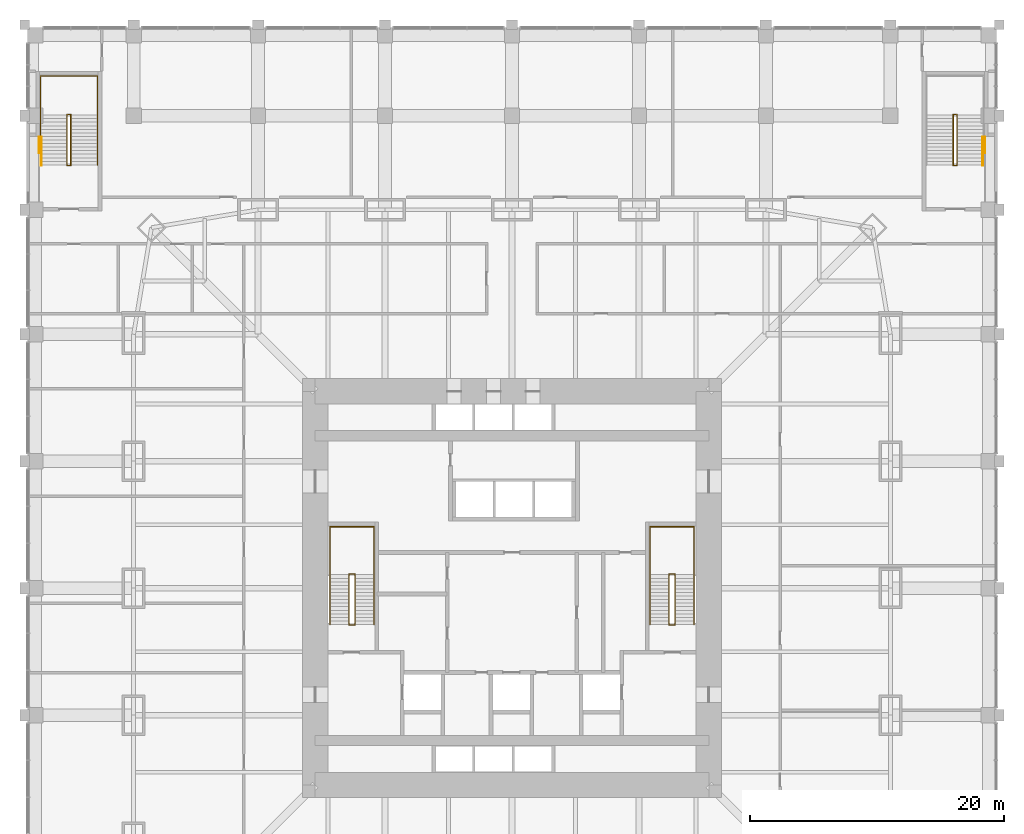
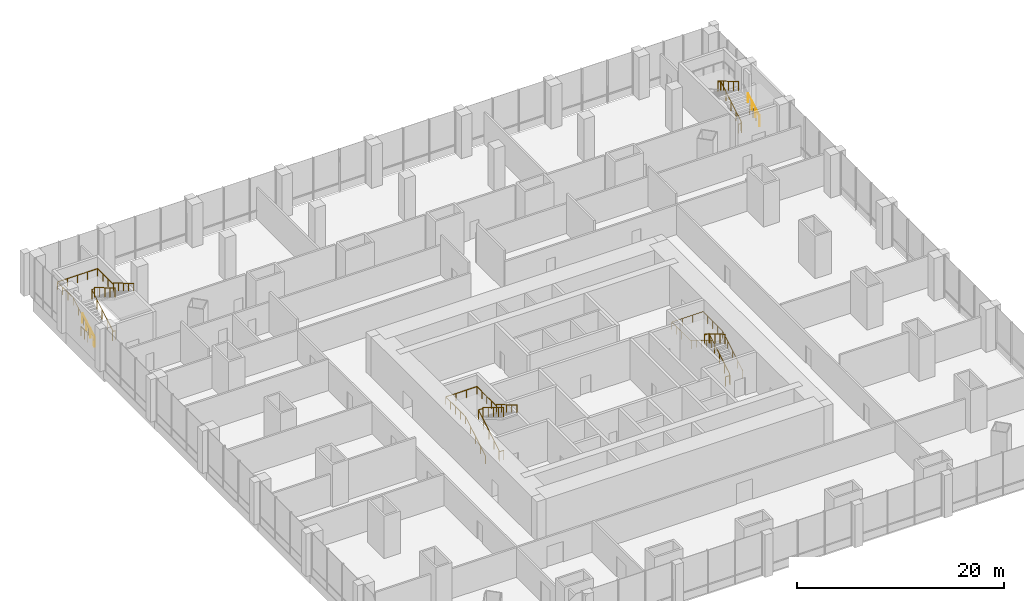
# One storey, part 23 of 24: 11 railings.
"""IFC4 building model written with IfcOpenShell, lengths in metres."""

from ifc_helpers import new_model, si_unit, direction, frame, origin, origin_2d, place, context, subcontext, project, spatial, circle, extrude, material, type_object, element, save


model = new_model("IFC4")

# Units and contexts
model_context = context("Model", 3, precision=1e-05, world=origin(), true_north=direction((0.0, 1.0)))
body_context = subcontext(model_context, "Body", "Model", "MODEL_VIEW")
ifc_project = project(units=[si_unit("LENGTHUNIT", "METRE"), si_unit("AREAUNIT", "SQUARE_METRE"), si_unit("VOLUMEUNIT", "CUBIC_METRE"), si_unit("PLANEANGLEUNIT", "RADIAN"), si_unit("MASSUNIT", "GRAM", prefix="KILO")], contexts=[model_context])

# Site, building, storey
site_placement = place(None, origin())
site = spatial("IfcSite", under=ifc_project, at=site_placement, CompositionType="ELEMENT")
building_placement = place(site_placement, origin())
building = spatial("IfcBuilding", under=site, at=building_placement, Name="Khuree Lantern Residences", CompositionType="ELEMENT")
storey_placement = place(building_placement, frame((0.0, 0.0, 11.0)))
storey = spatial("IfcBuildingStorey", under=building, at=storey_placement, Name="L02", CompositionType="ELEMENT", Elevation=11.0)

# Railings
ifc_material = material(Name="Steel S355", Category="steel")
railing_type_1 = type_object("IfcRailingType", Name="STAIR GUARD G1 1100", PredefinedType="GUARDRAIL", material=ifc_material)
railing_1_placement = place(storey_placement, frame((-12.35009765625, -2.909912109375, 0.0)))
element("IfcRailing", 1, at=railing_1_placement, inside=storey, type_object=railing_type_1, Name="Stair ST1 guard", PredefinedType="GUARDRAIL", context=body_context, shape_type="SweptSolid", body=[
    extrude(circle(Radius=0.02392578125, at=origin_2d()), frame((0.0, 0.0, 1.076171875), z_axis=(-1.0, 0.0, 0.0), x_axis=(0.0, -1.0, 0.0)), (0.0, 0.0, 1.0), 0.5),
    extrude(circle(Radius=0.02392578125, at=origin_2d()), frame((-0.5, 0.0, 1.076171875), z_axis=(0.0, 0.286189326841, 0.958173089375), x_axis=(-1.0, 0.0, 0.0)), (0.0, 0.0, 1.0), 0.174072265625),
    extrude(circle(Radius=0.02392578125, at=origin_2d()), frame((-0.5, 0.0498046875, 1.24267578125), z_axis=(0.0, 0.859310244771, 0.511454693235), x_axis=(-1.0, 0.0, 0.0)), (0.0, 0.0, 1.0), 4.56201171875),
    extrude(circle(Radius=0.02392578125, at=origin_2d()), frame((-0.5, 3.969970703125, 3.576171875), z_axis=(0.0, 1.0, 0.0), x_axis=(-1.0, 0.0, 0.0)), (0.0, 0.0, 1.0), 0.050048828125),
    extrude(circle(Radius=0.02392578125, at=origin_2d()), frame((-0.5, 4.02001953125, 3.576171875), z_axis=(1.0, 0.0, 0.0), x_axis=(0.0, 1.0, 0.0)), (0.0, 0.0, 1.0), 0.5),
    extrude(circle(Radius=0.02392578125, at=origin_2d()), frame((0.0, 4.02001953125, 3.576171875), z_axis=(0.0, -0.287476536604, 0.957787680492), x_axis=(1.0, 0.0, 0.0)), (0.0, 0.0, 1.0), 0.174072265625),
    extrude(circle(Radius=0.02392578125, at=origin_2d()), frame((0.0, 3.969970703125, 3.74267578125), z_axis=(0.0, -0.859310244771, 0.511454693235), x_axis=(1.0, 0.0, 0.0)), (0.0, 0.0, 1.0), 4.56201171875),
    extrude(circle(Radius=0.02099609375, at=origin_2d()), origin(), (0.0, 0.0, 1.0), 1.052001953125),
    extrude(circle(Radius=0.02099609375, at=origin_2d()), frame((-0.5, 0.0, 0.0)), (0.0, 0.0, 1.0), 1.052001953125),
    extrude(circle(Radius=0.02099609375, at=origin_2d()), frame((-0.5, 0.0498046875, 0.166748046875)), (0.0, 0.0, 1.0), 1.052001953125),
    extrude(circle(Radius=0.02099609375, at=origin_2d()), frame((-0.5, 1.02978515625, 0.75)), (0.0, 0.0, 1.0), 1.052001953125),
    extrude(circle(Radius=0.02099609375, at=origin_2d()), frame((-0.5, 2.009765625, 1.33349609375)), (0.0, 0.0, 1.0), 1.052001953125),
    extrude(circle(Radius=0.02099609375, at=origin_2d()), frame((-0.5, 2.989990234375, 1.916748046875)), (0.0, 0.0, 1.0), 1.052001953125),
    extrude(circle(Radius=0.02099609375, at=origin_2d()), frame((-0.5, 3.969970703125, 2.5)), (0.0, 0.0, 1.0), 1.052001953125),
    extrude(circle(Radius=0.02099609375, at=origin_2d()), frame((-0.5, 4.02001953125, 2.5)), (0.0, 0.0, 1.0), 1.052001953125),
    extrude(circle(Radius=0.02099609375, at=origin_2d()), frame((0.0, 4.02001953125, 2.5)), (0.0, 0.0, 1.0), 1.052001953125),
    extrude(circle(Radius=0.02099609375, at=origin_2d()), frame((0.0, 3.969970703125, 2.666748046875)), (0.0, 0.0, 1.0), 1.052001953125),
    extrude(circle(Radius=0.02099609375, at=origin_2d()), frame((0.0, 2.989990234375, 3.25)), (0.0, 0.0, 1.0), 1.052001953125),
    extrude(circle(Radius=0.02099609375, at=origin_2d()), frame((0.0, 2.009765625, 3.83349609375)), (0.0, 0.0, 1.0), 1.052001953125),
    extrude(circle(Radius=0.02099609375, at=origin_2d()), frame((0.0, 1.02978515625, 4.416748046875)), (0.0, 0.0, 1.0), 1.052001953125),
    extrude(circle(Radius=0.02099609375, at=origin_2d()), frame((0.0, 0.0498046875, 5.0)), (0.0, 0.0, 1.0), 1.052001953125),
])
railing_2_placement = place(storey_placement, frame((12.35009765625, -2.909912109375, 0.0)))
element("IfcRailing", 2, at=railing_2_placement, inside=storey, type_object=railing_type_1, Name="Stair ST2 guard", PredefinedType="GUARDRAIL", context=body_context, shape_type="SweptSolid", body=[
    extrude(circle(Radius=0.02392578125, at=origin_2d()), frame((0.0, 0.0, 1.076171875), z_axis=(1.0, 0.0, 0.0), x_axis=(0.0, 1.0, 0.0)), (0.0, 0.0, 1.0), 0.5),
    extrude(circle(Radius=0.02392578125, at=origin_2d()), frame((0.5, 0.0, 1.076171875), z_axis=(0.0, 0.286189326841, 0.958173089375), x_axis=(-1.0, 0.0, 0.0)), (0.0, 0.0, 1.0), 0.174072265625),
    extrude(circle(Radius=0.02392578125, at=origin_2d()), frame((0.5, 0.0498046875, 1.24267578125), z_axis=(0.0, 0.859310244771, 0.511454693235), x_axis=(-1.0, 0.0, 0.0)), (0.0, 0.0, 1.0), 4.56201171875),
    extrude(circle(Radius=0.02392578125, at=origin_2d()), frame((0.5, 3.969970703125, 3.576171875), z_axis=(0.0, 1.0, 0.0), x_axis=(-1.0, 0.0, 0.0)), (0.0, 0.0, 1.0), 0.050048828125),
    extrude(circle(Radius=0.02392578125, at=origin_2d()), frame((0.5, 4.02001953125, 3.576171875), z_axis=(-1.0, 0.0, 0.0), x_axis=(0.0, -1.0, 0.0)), (0.0, 0.0, 1.0), 0.5),
    extrude(circle(Radius=0.02392578125, at=origin_2d()), frame((0.0, 4.02001953125, 3.576171875), z_axis=(0.0, -0.287476536604, 0.957787680492), x_axis=(1.0, 0.0, 0.0)), (0.0, 0.0, 1.0), 0.174072265625),
    extrude(circle(Radius=0.02392578125, at=origin_2d()), frame((0.0, 3.969970703125, 3.74267578125), z_axis=(0.0, -0.859310244771, 0.511454693235), x_axis=(1.0, 0.0, 0.0)), (0.0, 0.0, 1.0), 4.56201171875),
    extrude(circle(Radius=0.02099609375, at=origin_2d()), origin(), (0.0, 0.0, 1.0), 1.052001953125),
    extrude(circle(Radius=0.02099609375, at=origin_2d()), frame((0.5, 0.0, 0.0)), (0.0, 0.0, 1.0), 1.052001953125),
    extrude(circle(Radius=0.02099609375, at=origin_2d()), frame((0.5, 0.0498046875, 0.166748046875)), (0.0, 0.0, 1.0), 1.052001953125),
    extrude(circle(Radius=0.02099609375, at=origin_2d()), frame((0.5, 1.02978515625, 0.75)), (0.0, 0.0, 1.0), 1.052001953125),
    extrude(circle(Radius=0.02099609375, at=origin_2d()), frame((0.5, 2.009765625, 1.33349609375)), (0.0, 0.0, 1.0), 1.052001953125),
    extrude(circle(Radius=0.02099609375, at=origin_2d()), frame((0.5, 2.989990234375, 1.916748046875)), (0.0, 0.0, 1.0), 1.052001953125),
    extrude(circle(Radius=0.02099609375, at=origin_2d()), frame((0.5, 3.969970703125, 2.5)), (0.0, 0.0, 1.0), 1.052001953125),
    extrude(circle(Radius=0.02099609375, at=origin_2d()), frame((0.5, 4.02001953125, 2.5)), (0.0, 0.0, 1.0), 1.052001953125),
    extrude(circle(Radius=0.02099609375, at=origin_2d()), frame((0.0, 4.02001953125, 2.5)), (0.0, 0.0, 1.0), 1.052001953125),
    extrude(circle(Radius=0.02099609375, at=origin_2d()), frame((0.0, 3.969970703125, 2.666748046875)), (0.0, 0.0, 1.0), 1.052001953125),
    extrude(circle(Radius=0.02099609375, at=origin_2d()), frame((0.0, 2.989990234375, 3.25)), (0.0, 0.0, 1.0), 1.052001953125),
    extrude(circle(Radius=0.02099609375, at=origin_2d()), frame((0.0, 2.009765625, 3.83349609375)), (0.0, 0.0, 1.0), 1.052001953125),
    extrude(circle(Radius=0.02099609375, at=origin_2d()), frame((0.0, 1.02978515625, 4.416748046875)), (0.0, 0.0, 1.0), 1.052001953125),
    extrude(circle(Radius=0.02099609375, at=origin_2d()), frame((0.0, 0.0498046875, 5.0)), (0.0, 0.0, 1.0), 1.052001953125),
])
railing_3_placement = place(storey_placement, frame((-34.75, 33.2900390625, 0.0)))
element("IfcRailing", 3, at=railing_3_placement, inside=storey, type_object=railing_type_1, Name="Stair ST3 guard", PredefinedType="GUARDRAIL", context=body_context, shape_type="SweptSolid", body=[
    extrude(circle(Radius=0.02392578125, at=origin_2d()), frame((0.0, 0.0, 1.076171875), z_axis=(-1.0, 0.0, 0.0), x_axis=(0.0, -1.0, 0.0)), (0.0, 0.0, 1.0), 0.300048828125),
    extrude(circle(Radius=0.02392578125, at=origin_2d()), frame((-0.300048828125, 0.0, 1.076171875), z_axis=(0.0, 0.287476536604, 0.957787680492), x_axis=(-1.0, 0.0, 0.0)), (0.0, 0.0, 1.0), 0.174072265625),
    extrude(circle(Radius=0.02392578125, at=origin_2d()), frame((-0.300048828125, 0.050048828125, 1.24267578125), z_axis=(0.0, 0.859296244711, 0.511478214419), x_axis=(-1.0, 0.0, 0.0)), (0.0, 0.0, 1.0), 4.561767578125),
    extrude(circle(Radius=0.02392578125, at=origin_2d()), frame((-0.300048828125, 3.969970703125, 3.576171875), z_axis=(0.0, 1.0, 0.0), x_axis=(-1.0, 0.0, 0.0)), (0.0, 0.0, 1.0), 0.050048828125),
    extrude(circle(Radius=0.02392578125, at=origin_2d()), frame((-0.300048828125, 4.02001953125, 3.576171875), z_axis=(1.0, 0.0, 0.0), x_axis=(0.0, 1.0, 0.0)), (0.0, 0.0, 1.0), 0.300048828125),
    extrude(circle(Radius=0.02392578125, at=origin_2d()), frame((0.0, 4.02001953125, 3.576171875), z_axis=(0.0, -0.287476536604, 0.957787680492), x_axis=(1.0, 0.0, 0.0)), (0.0, 0.0, 1.0), 0.174072265625),
    extrude(circle(Radius=0.02392578125, at=origin_2d()), frame((0.0, 3.969970703125, 3.74267578125), z_axis=(0.0, -0.859296244711, 0.511478214419), x_axis=(1.0, 0.0, 0.0)), (0.0, 0.0, 1.0), 4.561767578125),
    extrude(circle(Radius=0.02099609375, at=origin_2d()), origin(), (0.0, 0.0, 1.0), 1.052001953125),
    extrude(circle(Radius=0.02099609375, at=origin_2d()), frame((-0.300048828125, 0.0, 0.0)), (0.0, 0.0, 1.0), 1.052001953125),
    extrude(circle(Radius=0.02099609375, at=origin_2d()), frame((-0.300048828125, 0.050048828125, 0.166748046875)), (0.0, 0.0, 1.0), 1.052001953125),
    extrude(circle(Radius=0.02099609375, at=origin_2d()), frame((-0.300048828125, 1.030029296875, 0.75)), (0.0, 0.0, 1.0), 1.052001953125),
    extrude(circle(Radius=0.02099609375, at=origin_2d()), frame((-0.300048828125, 2.010009765625, 1.33349609375)), (0.0, 0.0, 1.0), 1.052001953125),
    extrude(circle(Radius=0.02099609375, at=origin_2d()), frame((-0.300048828125, 2.989990234375, 1.916748046875)), (0.0, 0.0, 1.0), 1.052001953125),
    extrude(circle(Radius=0.02099609375, at=origin_2d()), frame((-0.300048828125, 3.969970703125, 2.5)), (0.0, 0.0, 1.0), 1.052001953125),
    extrude(circle(Radius=0.02099609375, at=origin_2d()), frame((-0.300048828125, 4.02001953125, 2.5)), (0.0, 0.0, 1.0), 1.052001953125),
    extrude(circle(Radius=0.02099609375, at=origin_2d()), frame((0.0, 4.02001953125, 2.5)), (0.0, 0.0, 1.0), 1.052001953125),
    extrude(circle(Radius=0.02099609375, at=origin_2d()), frame((0.0, 3.969970703125, 2.666748046875)), (0.0, 0.0, 1.0), 1.052001953125),
    extrude(circle(Radius=0.02099609375, at=origin_2d()), frame((0.0, 2.989990234375, 3.25)), (0.0, 0.0, 1.0), 1.052001953125),
    extrude(circle(Radius=0.02099609375, at=origin_2d()), frame((0.0, 2.010009765625, 3.83349609375)), (0.0, 0.0, 1.0), 1.052001953125),
    extrude(circle(Radius=0.02099609375, at=origin_2d()), frame((0.0, 1.030029296875, 4.416748046875)), (0.0, 0.0, 1.0), 1.052001953125),
    extrude(circle(Radius=0.02099609375, at=origin_2d()), frame((0.0, 0.050048828125, 5.0)), (0.0, 0.0, 1.0), 1.052001953125),
])
railing_4_placement = place(storey_placement, frame((-37.080078125, 33.2900390625, 0.0)))
element("IfcRailing", 4, at=railing_4_placement, inside=storey, type_object=railing_type_1, Name="Stair ST3 flight edge guard", PredefinedType="GUARDRAIL", context=body_context, shape_type="SweptSolid", body=[
    extrude(circle(Radius=0.02392578125, at=origin_2d()), frame((0.0, 0.0, 1.076171875), z_axis=(0.0, 0.287476536604, 0.957787680492), x_axis=(-1.0, 0.0, 0.0)), (0.0, 0.0, 1.0), 0.174072265625),
    extrude(circle(Radius=0.02392578125, at=origin_2d()), frame((0.0, 0.050048828125, 1.24267578125), z_axis=(0.0, 0.859274887894, 0.511514092704), x_axis=(-1.0, 0.0, 0.0)), (0.0, 0.0, 1.0), 2.555419921875),
    extrude(circle(Radius=0.02099609375, at=origin_2d()), origin(), (0.0, 0.0, 1.0), 1.052001953125),
    extrude(circle(Radius=0.02099609375, at=origin_2d()), frame((0.0, 0.050048828125, 0.166748046875)), (0.0, 0.0, 1.0), 1.052001953125),
    extrude(circle(Radius=0.02099609375, at=origin_2d()), frame((0.0, 0.781982421875, 0.6025390625)), (0.0, 0.0, 1.0), 1.052001953125),
    extrude(circle(Radius=0.02099609375, at=origin_2d()), frame((0.0, 1.513916015625, 1.0380859375)), (0.0, 0.0, 1.0), 1.052001953125),
    extrude(circle(Radius=0.02099609375, at=origin_2d()), frame((0.0, 2.245849609375, 1.473876953125)), (0.0, 0.0, 1.0), 1.052001953125),
])
railing_5_placement = place(storey_placement, frame((-37.25, 34.263916015625, 0.0)))
element("IfcRailing", 5, at=railing_5_placement, inside=storey, type_object=railing_type_1, Name="Stair ST3 floor edge guard", PredefinedType="GUARDRAIL", context=body_context, shape_type="SweptSolid", body=[
    extrude(circle(Radius=0.02392578125, at=origin_2d()), frame((0.0, 0.0, 1.076171875), z_axis=(0.0, 1.0, 0.0), x_axis=(-1.0, 0.0, 0.0)), (0.0, 0.0, 1.0), 1.27197265625),
    extrude(circle(Radius=0.02099609375, at=origin_2d()), origin(), (0.0, 0.0, 1.0), 1.052001953125),
    extrude(circle(Radius=0.02099609375, at=origin_2d()), frame((0.0, 0.635986328125, 0.0)), (0.0, 0.0, 1.0), 1.052001953125),
    extrude(circle(Radius=0.02099609375, at=origin_2d()), frame((0.0, 1.27197265625, 0.0)), (0.0, 0.0, 1.0), 1.052001953125),
])
railing_6_placement = place(storey_placement, frame((34.75, 33.2900390625, 0.0)))
element("IfcRailing", 6, at=railing_6_placement, inside=storey, type_object=railing_type_1, Name="Stair ST4 guard", PredefinedType="GUARDRAIL", context=body_context, shape_type="SweptSolid", body=[
    extrude(circle(Radius=0.02392578125, at=origin_2d()), frame((0.0, 0.0, 1.076171875), z_axis=(1.0, 0.0, 0.0), x_axis=(0.0, 1.0, 0.0)), (0.0, 0.0, 1.0), 0.300048828125),
    extrude(circle(Radius=0.02392578125, at=origin_2d()), frame((0.300048828125, 0.0, 1.076171875), z_axis=(0.0, 0.287476536604, 0.957787680492), x_axis=(-1.0, 0.0, 0.0)), (0.0, 0.0, 1.0), 0.174072265625),
    extrude(circle(Radius=0.02392578125, at=origin_2d()), frame((0.300048828125, 0.050048828125, 1.24267578125), z_axis=(0.0, 0.859296244711, 0.511478214419), x_axis=(-1.0, 0.0, 0.0)), (0.0, 0.0, 1.0), 4.561767578125),
    extrude(circle(Radius=0.02392578125, at=origin_2d()), frame((0.300048828125, 3.969970703125, 3.576171875), z_axis=(0.0, 1.0, 0.0), x_axis=(-1.0, 0.0, 0.0)), (0.0, 0.0, 1.0), 0.050048828125),
    extrude(circle(Radius=0.02392578125, at=origin_2d()), frame((0.300048828125, 4.02001953125, 3.576171875), z_axis=(-1.0, 0.0, 0.0), x_axis=(0.0, -1.0, 0.0)), (0.0, 0.0, 1.0), 0.300048828125),
    extrude(circle(Radius=0.02392578125, at=origin_2d()), frame((0.0, 4.02001953125, 3.576171875), z_axis=(0.0, -0.287476536604, 0.957787680492), x_axis=(1.0, 0.0, 0.0)), (0.0, 0.0, 1.0), 0.174072265625),
    extrude(circle(Radius=0.02392578125, at=origin_2d()), frame((0.0, 3.969970703125, 3.74267578125), z_axis=(0.0, -0.859296244711, 0.511478214419), x_axis=(1.0, 0.0, 0.0)), (0.0, 0.0, 1.0), 4.561767578125),
    extrude(circle(Radius=0.02099609375, at=origin_2d()), origin(), (0.0, 0.0, 1.0), 1.052001953125),
    extrude(circle(Radius=0.02099609375, at=origin_2d()), frame((0.300048828125, 0.0, 0.0)), (0.0, 0.0, 1.0), 1.052001953125),
    extrude(circle(Radius=0.02099609375, at=origin_2d()), frame((0.300048828125, 0.050048828125, 0.166748046875)), (0.0, 0.0, 1.0), 1.052001953125),
    extrude(circle(Radius=0.02099609375, at=origin_2d()), frame((0.300048828125, 1.030029296875, 0.75)), (0.0, 0.0, 1.0), 1.052001953125),
    extrude(circle(Radius=0.02099609375, at=origin_2d()), frame((0.300048828125, 2.010009765625, 1.33349609375)), (0.0, 0.0, 1.0), 1.052001953125),
    extrude(circle(Radius=0.02099609375, at=origin_2d()), frame((0.300048828125, 2.989990234375, 1.916748046875)), (0.0, 0.0, 1.0), 1.052001953125),
    extrude(circle(Radius=0.02099609375, at=origin_2d()), frame((0.300048828125, 3.969970703125, 2.5)), (0.0, 0.0, 1.0), 1.052001953125),
    extrude(circle(Radius=0.02099609375, at=origin_2d()), frame((0.300048828125, 4.02001953125, 2.5)), (0.0, 0.0, 1.0), 1.052001953125),
    extrude(circle(Radius=0.02099609375, at=origin_2d()), frame((0.0, 4.02001953125, 2.5)), (0.0, 0.0, 1.0), 1.052001953125),
    extrude(circle(Radius=0.02099609375, at=origin_2d()), frame((0.0, 3.969970703125, 2.666748046875)), (0.0, 0.0, 1.0), 1.052001953125),
    extrude(circle(Radius=0.02099609375, at=origin_2d()), frame((0.0, 2.989990234375, 3.25)), (0.0, 0.0, 1.0), 1.052001953125),
    extrude(circle(Radius=0.02099609375, at=origin_2d()), frame((0.0, 2.010009765625, 3.83349609375)), (0.0, 0.0, 1.0), 1.052001953125),
    extrude(circle(Radius=0.02099609375, at=origin_2d()), frame((0.0, 1.030029296875, 4.416748046875)), (0.0, 0.0, 1.0), 1.052001953125),
    extrude(circle(Radius=0.02099609375, at=origin_2d()), frame((0.0, 0.050048828125, 5.0)), (0.0, 0.0, 1.0), 1.052001953125),
])
railing_7_placement = place(storey_placement, frame((37.080078125, 33.2900390625, 0.0)))
element("IfcRailing", 7, at=railing_7_placement, inside=storey, type_object=railing_type_1, Name="Stair ST4 flight edge guard", PredefinedType="GUARDRAIL", context=body_context, shape_type="SweptSolid", body=[
    extrude(circle(Radius=0.02392578125, at=origin_2d()), frame((0.0, 0.0, 1.076171875), z_axis=(0.0, 0.287476536604, 0.957787680492), x_axis=(-1.0, 0.0, 0.0)), (0.0, 0.0, 1.0), 0.174072265625),
    extrude(circle(Radius=0.02392578125, at=origin_2d()), frame((0.0, 0.050048828125, 1.24267578125), z_axis=(0.0, 0.859274887894, 0.511514092704), x_axis=(-1.0, 0.0, 0.0)), (0.0, 0.0, 1.0), 2.555419921875),
    extrude(circle(Radius=0.02099609375, at=origin_2d()), origin(), (0.0, 0.0, 1.0), 1.052001953125),
    extrude(circle(Radius=0.02099609375, at=origin_2d()), frame((0.0, 0.050048828125, 0.166748046875)), (0.0, 0.0, 1.0), 1.052001953125),
    extrude(circle(Radius=0.02099609375, at=origin_2d()), frame((0.0, 0.781982421875, 0.6025390625)), (0.0, 0.0, 1.0), 1.052001953125),
    extrude(circle(Radius=0.02099609375, at=origin_2d()), frame((0.0, 1.513916015625, 1.0380859375)), (0.0, 0.0, 1.0), 1.052001953125),
    extrude(circle(Radius=0.02099609375, at=origin_2d()), frame((0.0, 2.245849609375, 1.473876953125)), (0.0, 0.0, 1.0), 1.052001953125),
])
railing_8_placement = place(storey_placement, frame((37.25, 34.263916015625, 0.0)))
element("IfcRailing", 8, at=railing_8_placement, inside=storey, type_object=railing_type_1, Name="Stair ST4 floor edge guard", PredefinedType="GUARDRAIL", context=body_context, shape_type="SweptSolid", body=[
    extrude(circle(Radius=0.02392578125, at=origin_2d()), frame((0.0, 0.0, 1.076171875), z_axis=(0.0, 1.0, 0.0), x_axis=(-1.0, 0.0, 0.0)), (0.0, 0.0, 1.0), 1.27197265625),
    extrude(circle(Radius=0.02099609375, at=origin_2d()), origin(), (0.0, 0.0, 1.0), 1.052001953125),
    extrude(circle(Radius=0.02099609375, at=origin_2d()), frame((0.0, 0.635986328125, 0.0)), (0.0, 0.0, 1.0), 1.052001953125),
    extrude(circle(Radius=0.02099609375, at=origin_2d()), frame((0.0, 1.27197265625, 0.0)), (0.0, 0.0, 1.0), 1.052001953125),
])
railing_type_2 = type_object("IfcRailingType", Name="STAIR HANDRAIL H1 900", PredefinedType="HANDRAIL", material=ifc_material)
railing_9_placement = place(storey_placement, frame((-14.340087890625, -2.860107421875, 0.166748046875)))
element("IfcRailing", 9, at=railing_9_placement, inside=storey, type_object=railing_type_2, Name="Stair ST1 handrail", PredefinedType="HANDRAIL", context=body_context, shape_type="SweptSolid", body=[
    extrude(circle(Radius=0.02392578125, at=origin_2d()), frame((0.0, 0.0, 0.8759765625), z_axis=(0.0, 0.859310244771, 0.511454693235), x_axis=(-1.0, 0.0, 0.0)), (0.0, 0.0, 1.0), 4.56201171875),
    extrude(circle(Radius=0.02392578125, at=origin_2d()), frame((0.0, 3.920166015625, 3.208984375), z_axis=(0.0, 1.0, 0.0), x_axis=(-1.0, 0.0, 0.0)), (0.0, 0.0, 1.0), 3.780029296875),
    extrude(circle(Radius=0.02392578125, at=origin_2d()), frame((0.0, 7.7001953125, 3.208984375), z_axis=(1.0, 0.0, 0.0), x_axis=(0.0, 1.0, 0.0)), (0.0, 0.0, 1.0), 3.47998046875),
    extrude(circle(Radius=0.02392578125, at=origin_2d()), frame((3.47998046875, 7.7001953125, 3.208984375), z_axis=(0.0, -1.0, 0.0), x_axis=(1.0, 0.0, 0.0)), (0.0, 0.0, 1.0), 3.780029296875),
    extrude(circle(Radius=0.02392578125, at=origin_2d()), frame((3.47998046875, 3.920166015625, 3.208984375), z_axis=(0.0, 0.0, 1.0), x_axis=(1.0, 0.0, 0.0)), (0.0, 0.0, 1.0), 0.166748046875),
    extrude(circle(Radius=0.02392578125, at=origin_2d()), frame((3.47998046875, 3.920166015625, 3.3759765625), z_axis=(0.0, -0.859310244771, 0.511454693235), x_axis=(1.0, 0.0, 0.0)), (0.0, 0.0, 1.0), 4.56201171875),
    extrude(circle(Radius=0.02099609375, at=origin_2d()), origin(), (0.0, 0.0, 1.0), 0.851806640625),
    extrude(circle(Radius=0.02099609375, at=origin_2d()), frame((0.0, 0.97998046875, 0.583251953125)), (0.0, 0.0, 1.0), 0.851806640625),
    extrude(circle(Radius=0.02099609375, at=origin_2d()), frame((0.0, 1.9599609375, 1.16650390625)), (0.0, 0.0, 1.0), 0.851806640625),
    extrude(circle(Radius=0.02099609375, at=origin_2d()), frame((0.0, 2.940185546875, 1.75)), (0.0, 0.0, 1.0), 0.851806640625),
    extrude(circle(Radius=0.02099609375, at=origin_2d()), frame((0.0, 3.920166015625, 2.333251953125)), (0.0, 0.0, 1.0), 0.851806640625),
    extrude(circle(Radius=0.02099609375, at=origin_2d()), frame((0.0, 4.865234375, 2.333251953125)), (0.0, 0.0, 1.0), 0.851806640625),
    extrude(circle(Radius=0.02099609375, at=origin_2d()), frame((0.0, 5.81005859375, 2.333251953125)), (0.0, 0.0, 1.0), 0.851806640625),
    extrude(circle(Radius=0.02099609375, at=origin_2d()), frame((0.0, 6.755126953125, 2.333251953125)), (0.0, 0.0, 1.0), 0.851806640625),
    extrude(circle(Radius=0.02099609375, at=origin_2d()), frame((0.0, 7.7001953125, 2.333251953125)), (0.0, 0.0, 1.0), 0.851806640625),
    extrude(circle(Radius=0.02099609375, at=origin_2d()), frame((1.159912109375, 7.7001953125, 2.333251953125)), (0.0, 0.0, 1.0), 0.851806640625),
    extrude(circle(Radius=0.02099609375, at=origin_2d()), frame((2.320068359375, 7.7001953125, 2.333251953125)), (0.0, 0.0, 1.0), 0.851806640625),
    extrude(circle(Radius=0.02099609375, at=origin_2d()), frame((3.47998046875, 7.7001953125, 2.333251953125)), (0.0, 0.0, 1.0), 0.851806640625),
    extrude(circle(Radius=0.02099609375, at=origin_2d()), frame((3.47998046875, 6.755126953125, 2.333251953125)), (0.0, 0.0, 1.0), 0.851806640625),
    extrude(circle(Radius=0.02099609375, at=origin_2d()), frame((3.47998046875, 5.81005859375, 2.333251953125)), (0.0, 0.0, 1.0), 0.851806640625),
    extrude(circle(Radius=0.02099609375, at=origin_2d()), frame((3.47998046875, 4.865234375, 2.333251953125)), (0.0, 0.0, 1.0), 0.851806640625),
    extrude(circle(Radius=0.02099609375, at=origin_2d()), frame((3.47998046875, 3.920166015625, 2.333251953125)), (0.0, 0.0, 1.0), 0.851806640625),
    extrude(circle(Radius=0.02099609375, at=origin_2d()), frame((3.47998046875, 3.920166015625, 2.5)), (0.0, 0.0, 1.0), 0.851806640625),
    extrude(circle(Radius=0.02099609375, at=origin_2d()), frame((3.47998046875, 2.940185546875, 3.083251953125)), (0.0, 0.0, 1.0), 0.851806640625),
    extrude(circle(Radius=0.02099609375, at=origin_2d()), frame((3.47998046875, 1.9599609375, 3.66650390625)), (0.0, 0.0, 1.0), 0.851806640625),
    extrude(circle(Radius=0.02099609375, at=origin_2d()), frame((3.47998046875, 0.97998046875, 4.25)), (0.0, 0.0, 1.0), 0.851806640625),
    extrude(circle(Radius=0.02099609375, at=origin_2d()), frame((3.47998046875, 0.0, 4.833251953125)), (0.0, 0.0, 1.0), 0.851806640625),
])
railing_10_placement = place(storey_placement, frame((14.340087890625, -2.860107421875, 0.166748046875)))
element("IfcRailing", 10, at=railing_10_placement, inside=storey, type_object=railing_type_2, Name="Stair ST2 handrail", PredefinedType="HANDRAIL", context=body_context, shape_type="SweptSolid", body=[
    extrude(circle(Radius=0.02392578125, at=origin_2d()), frame((0.0, 0.0, 0.8759765625), z_axis=(0.0, 0.859310244771, 0.511454693235), x_axis=(-1.0, 0.0, 0.0)), (0.0, 0.0, 1.0), 4.56201171875),
    extrude(circle(Radius=0.02392578125, at=origin_2d()), frame((0.0, 3.920166015625, 3.208984375), z_axis=(0.0, 1.0, 0.0), x_axis=(-1.0, 0.0, 0.0)), (0.0, 0.0, 1.0), 3.780029296875),
    extrude(circle(Radius=0.02392578125, at=origin_2d()), frame((0.0, 7.7001953125, 3.208984375), z_axis=(-1.0, 0.0, 0.0), x_axis=(0.0, -1.0, 0.0)), (0.0, 0.0, 1.0), 3.47998046875),
    extrude(circle(Radius=0.02392578125, at=origin_2d()), frame((-3.47998046875, 7.7001953125, 3.208984375), z_axis=(0.0, -1.0, 0.0), x_axis=(1.0, 0.0, 0.0)), (0.0, 0.0, 1.0), 3.780029296875),
    extrude(circle(Radius=0.02392578125, at=origin_2d()), frame((-3.47998046875, 3.920166015625, 3.208984375), z_axis=(0.0, 0.0, 1.0), x_axis=(1.0, 0.0, 0.0)), (0.0, 0.0, 1.0), 0.166748046875),
    extrude(circle(Radius=0.02392578125, at=origin_2d()), frame((-3.47998046875, 3.920166015625, 3.3759765625), z_axis=(0.0, -0.859310244771, 0.511454693235), x_axis=(1.0, 0.0, 0.0)), (0.0, 0.0, 1.0), 4.56201171875),
    extrude(circle(Radius=0.02099609375, at=origin_2d()), origin(), (0.0, 0.0, 1.0), 0.851806640625),
    extrude(circle(Radius=0.02099609375, at=origin_2d()), frame((0.0, 0.97998046875, 0.583251953125)), (0.0, 0.0, 1.0), 0.851806640625),
    extrude(circle(Radius=0.02099609375, at=origin_2d()), frame((0.0, 1.9599609375, 1.16650390625)), (0.0, 0.0, 1.0), 0.851806640625),
    extrude(circle(Radius=0.02099609375, at=origin_2d()), frame((0.0, 2.940185546875, 1.75)), (0.0, 0.0, 1.0), 0.851806640625),
    extrude(circle(Radius=0.02099609375, at=origin_2d()), frame((0.0, 3.920166015625, 2.333251953125)), (0.0, 0.0, 1.0), 0.851806640625),
    extrude(circle(Radius=0.02099609375, at=origin_2d()), frame((0.0, 4.865234375, 2.333251953125)), (0.0, 0.0, 1.0), 0.851806640625),
    extrude(circle(Radius=0.02099609375, at=origin_2d()), frame((0.0, 5.81005859375, 2.333251953125)), (0.0, 0.0, 1.0), 0.851806640625),
    extrude(circle(Radius=0.02099609375, at=origin_2d()), frame((0.0, 6.755126953125, 2.333251953125)), (0.0, 0.0, 1.0), 0.851806640625),
    extrude(circle(Radius=0.02099609375, at=origin_2d()), frame((0.0, 7.7001953125, 2.333251953125)), (0.0, 0.0, 1.0), 0.851806640625),
    extrude(circle(Radius=0.02099609375, at=origin_2d()), frame((-1.159912109375, 7.7001953125, 2.333251953125)), (0.0, 0.0, 1.0), 0.851806640625),
    extrude(circle(Radius=0.02099609375, at=origin_2d()), frame((-2.320068359375, 7.7001953125, 2.333251953125)), (0.0, 0.0, 1.0), 0.851806640625),
    extrude(circle(Radius=0.02099609375, at=origin_2d()), frame((-3.47998046875, 7.7001953125, 2.333251953125)), (0.0, 0.0, 1.0), 0.851806640625),
    extrude(circle(Radius=0.02099609375, at=origin_2d()), frame((-3.47998046875, 6.755126953125, 2.333251953125)), (0.0, 0.0, 1.0), 0.851806640625),
    extrude(circle(Radius=0.02099609375, at=origin_2d()), frame((-3.47998046875, 5.81005859375, 2.333251953125)), (0.0, 0.0, 1.0), 0.851806640625),
    extrude(circle(Radius=0.02099609375, at=origin_2d()), frame((-3.47998046875, 4.865234375, 2.333251953125)), (0.0, 0.0, 1.0), 0.851806640625),
    extrude(circle(Radius=0.02099609375, at=origin_2d()), frame((-3.47998046875, 3.920166015625, 2.333251953125)), (0.0, 0.0, 1.0), 0.851806640625),
    extrude(circle(Radius=0.02099609375, at=origin_2d()), frame((-3.47998046875, 3.920166015625, 2.5)), (0.0, 0.0, 1.0), 0.851806640625),
    extrude(circle(Radius=0.02099609375, at=origin_2d()), frame((-3.47998046875, 2.940185546875, 3.083251953125)), (0.0, 0.0, 1.0), 0.851806640625),
    extrude(circle(Radius=0.02099609375, at=origin_2d()), frame((-3.47998046875, 1.9599609375, 3.66650390625)), (0.0, 0.0, 1.0), 0.851806640625),
    extrude(circle(Radius=0.02099609375, at=origin_2d()), frame((-3.47998046875, 0.97998046875, 4.25)), (0.0, 0.0, 1.0), 0.851806640625),
    extrude(circle(Radius=0.02099609375, at=origin_2d()), frame((-3.47998046875, 0.0, 4.833251953125)), (0.0, 0.0, 1.0), 0.851806640625),
])
railing_11_placement = place(storey_placement, frame((-37.139892578125, 33.340087890625, 0.166748046875)))
element("IfcRailing", 11, at=railing_11_placement, inside=storey, type_object=railing_type_2, Name="Stair ST3 handrail", PredefinedType="HANDRAIL", context=body_context, shape_type="SweptSolid", body=[
    extrude(circle(Radius=0.02392578125, at=origin_2d()), frame((0.0, 0.0, 0.8759765625), z_axis=(0.0, 0.859296244711, 0.511478214419), x_axis=(-1.0, 0.0, 0.0)), (0.0, 0.0, 1.0), 4.561767578125),
    extrude(circle(Radius=0.02392578125, at=origin_2d()), frame((0.0, 3.919921875, 3.208984375), z_axis=(0.0, 1.0, 0.0), x_axis=(-1.0, 0.0, 0.0)), (0.0, 0.0, 1.0), 3.080078125),
    extrude(circle(Radius=0.02392578125, at=origin_2d()), frame((0.0, 7.0, 3.208984375), z_axis=(1.0, 0.0, 0.0), x_axis=(0.0, 1.0, 0.0)), (0.0, 0.0, 1.0), 4.47998046875),
    extrude(circle(Radius=0.02392578125, at=origin_2d()), frame((4.47998046875, 7.0, 3.208984375), z_axis=(0.0, -1.0, 0.0), x_axis=(1.0, 0.0, 0.0)), (0.0, 0.0, 1.0), 3.080078125),
    extrude(circle(Radius=0.02392578125, at=origin_2d()), frame((4.47998046875, 3.919921875, 3.208984375), z_axis=(0.0, 0.0, 1.0), x_axis=(1.0, 0.0, 0.0)), (0.0, 0.0, 1.0), 0.166748046875),
    extrude(circle(Radius=0.02392578125, at=origin_2d()), frame((4.47998046875, 3.919921875, 3.3759765625), z_axis=(0.0, -0.859296244711, 0.511478214419), x_axis=(1.0, 0.0, 0.0)), (0.0, 0.0, 1.0), 4.561767578125),
    extrude(circle(Radius=0.02099609375, at=origin_2d()), origin(), (0.0, 0.0, 1.0), 0.851806640625),
    extrude(circle(Radius=0.02099609375, at=origin_2d()), frame((0.0, 0.97998046875, 0.583251953125)), (0.0, 0.0, 1.0), 0.851806640625),
    extrude(circle(Radius=0.02099609375, at=origin_2d()), frame((0.0, 1.9599609375, 1.16650390625)), (0.0, 0.0, 1.0), 0.851806640625),
    extrude(circle(Radius=0.02099609375, at=origin_2d()), frame((0.0, 2.93994140625, 1.75)), (0.0, 0.0, 1.0), 0.851806640625),
    extrude(circle(Radius=0.02099609375, at=origin_2d()), frame((0.0, 3.919921875, 2.333251953125)), (0.0, 0.0, 1.0), 0.851806640625),
    extrude(circle(Radius=0.02099609375, at=origin_2d()), frame((0.0, 4.946533203125, 2.333251953125)), (0.0, 0.0, 1.0), 0.851806640625),
    extrude(circle(Radius=0.02099609375, at=origin_2d()), frame((0.0, 5.973388671875, 2.333251953125)), (0.0, 0.0, 1.0), 0.851806640625),
    extrude(circle(Radius=0.02099609375, at=origin_2d()), frame((0.0, 7.0, 2.333251953125)), (0.0, 0.0, 1.0), 0.851806640625),
    extrude(circle(Radius=0.02099609375, at=origin_2d()), frame((1.1201171875, 7.0, 2.333251953125)), (0.0, 0.0, 1.0), 0.851806640625),
    extrude(circle(Radius=0.02099609375, at=origin_2d()), frame((2.239990234375, 7.0, 2.333251953125)), (0.0, 0.0, 1.0), 0.851806640625),
    extrude(circle(Radius=0.02099609375, at=origin_2d()), frame((3.35986328125, 7.0, 2.333251953125)), (0.0, 0.0, 1.0), 0.851806640625),
    extrude(circle(Radius=0.02099609375, at=origin_2d()), frame((4.47998046875, 7.0, 2.333251953125)), (0.0, 0.0, 1.0), 0.851806640625),
    extrude(circle(Radius=0.02099609375, at=origin_2d()), frame((4.47998046875, 5.973388671875, 2.333251953125)), (0.0, 0.0, 1.0), 0.851806640625),
    extrude(circle(Radius=0.02099609375, at=origin_2d()), frame((4.47998046875, 4.946533203125, 2.333251953125)), (0.0, 0.0, 1.0), 0.851806640625),
    extrude(circle(Radius=0.02099609375, at=origin_2d()), frame((4.47998046875, 3.919921875, 2.333251953125)), (0.0, 0.0, 1.0), 0.851806640625),
    extrude(circle(Radius=0.02099609375, at=origin_2d()), frame((4.47998046875, 3.919921875, 2.5)), (0.0, 0.0, 1.0), 0.851806640625),
    extrude(circle(Radius=0.02099609375, at=origin_2d()), frame((4.47998046875, 2.93994140625, 3.083251953125)), (0.0, 0.0, 1.0), 0.851806640625),
    extrude(circle(Radius=0.02099609375, at=origin_2d()), frame((4.47998046875, 1.9599609375, 3.66650390625)), (0.0, 0.0, 1.0), 0.851806640625),
    extrude(circle(Radius=0.02099609375, at=origin_2d()), frame((4.47998046875, 0.97998046875, 4.25)), (0.0, 0.0, 1.0), 0.851806640625),
    extrude(circle(Radius=0.02099609375, at=origin_2d()), frame((4.47998046875, 0.0, 4.833251953125)), (0.0, 0.0, 1.0), 0.851806640625),
])

save(model, "model.ifc")
